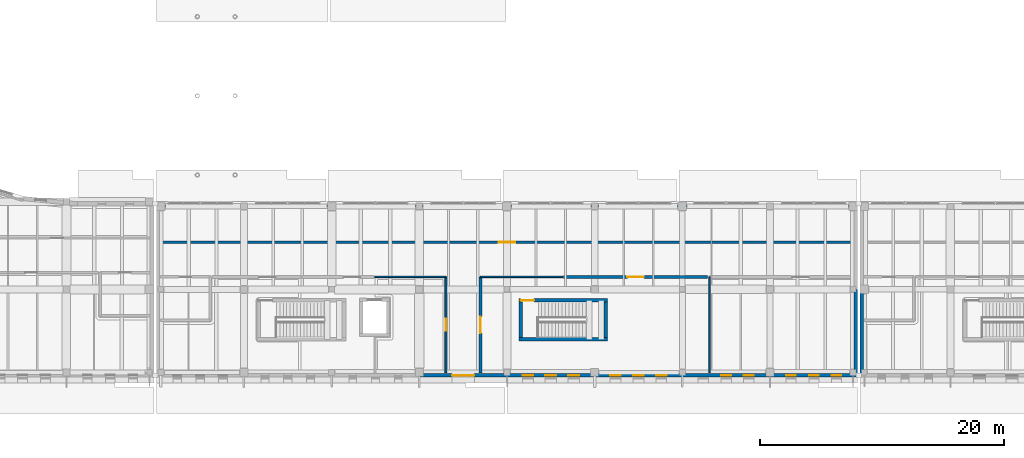
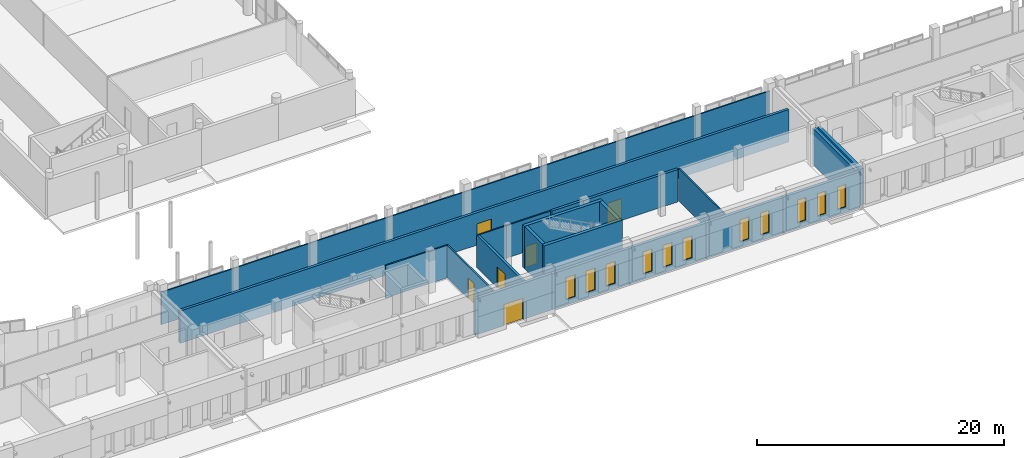
# One storey, part 53 of 77: 19 walls, 11 windows, 6 doors, 17 openings.
"""IFC4 building model written with IfcOpenShell, lengths in metres."""

from ifc_helpers import new_model, si_unit, direction, frame, frame_2d, origin, place, context, subcontext, project, spatial, rectangle, extrude, material, layer, layer_set, type_object, element, fill, save


model = new_model("IFC4")

# Units and contexts
model_context = context("Model", 3, precision=1e-05, world=origin(), true_north=direction((0.0, 1.0)))
body_context = subcontext(model_context, "Body", "Model", "MODEL_VIEW")
ifc_project = project(units=[si_unit("LENGTHUNIT", "METRE"), si_unit("AREAUNIT", "SQUARE_METRE"), si_unit("VOLUMEUNIT", "CUBIC_METRE"), si_unit("PLANEANGLEUNIT", "RADIAN"), si_unit("MASSUNIT", "GRAM", prefix="KILO")], contexts=[model_context])

# Site, building, storey
site_placement = place(None, origin())
site = spatial("IfcSite", under=ifc_project, at=site_placement, CompositionType="ELEMENT")
building_placement = place(site_placement, origin())
building = spatial("IfcBuilding", under=site, at=building_placement, Name="Vardoun Plaza Health Centre", CompositionType="ELEMENT")
storey_placement = place(building_placement, origin())
storey = spatial("IfcBuildingStorey", under=building, at=storey_placement, Name="L00", CompositionType="ELEMENT", Elevation=0.0)

# Walls
ifc_material_1 = material(Name="Concrete C40/50", Category="concrete")
ifc_layer_1 = layer(ifc_material_1, 0.300048828125)
ifc_layer_set_1 = layer_set([ifc_layer_1], Name="Concrete C40/50")
wall_type_1 = type_object("IfcWallType", Name="SW-01", PredefinedType="SHEAR", material=ifc_layer_set_1)
wall_1_placement = place(storey_placement, frame((84.949951171875, 7.60009765625, 0.0), z_axis=(0.0, 0.0, 1.0), x_axis=(-1.0, 0.0, 0.0)))
element("IfcWall", 1, at=wall_1_placement, inside=storey, type_object=wall_type_1, Name="Core C7 L00 Shear Wall S", PredefinedType="SHEAR", context=body_context, shape_type="SweptSolid", body=[
    extrude(rectangle(XDim=7.300048828125, YDim=0.300048828125, at=frame_2d((3.64990234375, 0.0))), origin(), (0.0, 0.0, 1.0), 4.18505859375),
])
wall_2_placement = place(storey_placement, frame((77.800048828125, 7.75, 0.0), z_axis=(0.0, 0.0, 1.0), x_axis=(0.0, 1.0, 0.0)))
element("IfcWall", 2, at=wall_2_placement, inside=storey, type_object=wall_type_1, Name="Core C7 L00 Shear Wall W", PredefinedType="SHEAR", context=body_context, shape_type="SweptSolid", body=[
    extrude(rectangle(XDim=2.89990234375, YDim=0.300048828125, at=frame_2d((1.449951171875, 0.0))), origin(), (0.0, 0.0, 1.0), 4.18505859375),
])

# Wall, opening, door
wall_3_placement = place(storey_placement, frame((77.64990234375, 10.800048828125, 0.0), z_axis=(0.0, 0.0, 1.0), x_axis=(1.0, 0.0, 0.0)))
wall_3 = element("IfcWall", 3, at=wall_3_placement, inside=storey, type_object=wall_type_1, Name="Core C7 L00 Shear Wall N", PredefinedType="SHEAR", context=body_context, shape_type="SweptSolid", body=[
    extrude(rectangle(XDim=7.300048828125, YDim=0.300048828125, at=frame_2d((3.64990234375, 0.0))), origin(), (0.0, 0.0, 1.0), 4.18505859375),
])
opening_1_placement = place(wall_3_placement, frame((0.159912109375, 0.0, 0.0)))
opening_1 = element("IfcOpeningElement", 4, at=opening_1_placement, cuts=wall_3, Name="Opening SD-C7-L00", PredefinedType="OPENING", context=body_context, shape_type="SweptSolid", body=[
    extrude(rectangle(XDim=1.10009765625, YDim=2.050048828125, at=frame_2d((0.550048828125, 1.02490234375))), frame((0.0, 0.14990234375, 0.0), z_axis=(0.0, -1.0, 0.0), x_axis=(1.0, 0.0, 0.0)), (0.0, 0.0, 1.0), 0.300048828125),
])
ifc_material_2 = material(Name="Brushed Stainless Steel Grade 316L", Category="steel")
door_type_1 = type_object("IfcDoorType", Name="FD-01", OperationType="NOTDEFINED", PredefinedType="DOOR", material=ifc_material_2)
door_1_placement = place(opening_1_placement, origin())
door_1 = element("IfcDoor", 5, at=door_1_placement, inside=storey, type_object=door_type_1, Name="Stair C7 L00 Fire Door", OperationType="SINGLE_SWING_RIGHT", OverallHeight=2.050048828125, OverallWidth=1.10009765625, PredefinedType="DOOR", context=body_context, shape_type="SweptSolid", body=[
    extrude(rectangle(XDim=1.10009765625, YDim=2.050048828125, at=frame_2d((0.550048828125, 1.02490234375))), frame((0.0, 0.02490234375, 0.0), z_axis=(0.0, -1.0, 0.0), x_axis=(1.0, 0.0, 0.0)), (0.0, 0.0, 1.0), 0.050048828125),
])
fill(opening_1, door_1)

# Walls
wall_4_placement = place(storey_placement, frame((84.800048828125, 10.64990234375, 0.0), z_axis=(0.0, 0.0, 1.0), x_axis=(0.0, -1.0, 0.0)))
element("IfcWall", 6, at=wall_4_placement, inside=storey, type_object=wall_type_1, Name="Core C7 L00 Shear Wall E", PredefinedType="SHEAR", context=body_context, shape_type="SweptSolid", body=[
    extrude(rectangle(XDim=2.89990234375, YDim=0.300048828125, at=frame_2d((1.449951171875, 0.0))), origin(), (0.0, 0.0, 1.0), 4.18505859375),
])
ifc_material_3 = material(Name="Pale Limestone Concrete C35/45", Category="masonry")
ifc_layer_2 = layer(ifc_material_3, 0.280029296875)
ifc_layer_set_2 = layer_set([ifc_layer_2], Name="Pale Limestone Concrete C35/45")
wall_type_2 = type_object("IfcWallType", Name="EW-05", PredefinedType="STANDARD", material=ifc_layer_set_2)
wall_5_placement = place(storey_placement, frame((105.340087890625, 11.699951171875, 0.0), z_axis=(0.0, 0.0, 1.0), x_axis=(0.0, -1.0, 0.0)))
element("IfcWall", 7, at=wall_5_placement, inside=storey, type_object=wall_type_2, Name="V4 L00 Exterior Wall EW-V4-325", PredefinedType="STANDARD", context=body_context, shape_type="SweptSolid", body=[
    extrude(rectangle(XDim=6.919921875, YDim=0.280029296875, at=frame_2d((3.4599609375, 0.0))), origin(), (0.0, 0.0, 1.0), 3.6201171875),
])

# Wall, openings, windows
wall_6_placement = place(storey_placement, frame((105.47998046875, 4.639892578125, 0.0), z_axis=(0.0, 0.0, 1.0), x_axis=(-1.0, 0.0, 0.0)))
wall_6 = element("IfcWall", 8, at=wall_6_placement, inside=storey, type_object=wall_type_2, Name="V4 L00 Exterior Wall EW-V4-326", PredefinedType="STANDARD", context=body_context, shape_type="SweptSolid", body=[
    extrude(rectangle(XDim=7.199951171875, YDim=0.280029296875, at=frame_2d((3.60009765625, 0.0))), origin(), (0.0, 0.0, 1.0), 3.570068359375),
])
opening_2_placement = place(wall_6_placement, frame((1.337890625, 0.0, 0.550048828125)))
opening_2 = element("IfcOpeningElement", 9, at=opening_2_placement, cuts=wall_6, Name="Opening W-06-013", PredefinedType="OPENING", context=body_context, shape_type="SweptSolid", body=[
    extrude(rectangle(XDim=0.780029296875, YDim=2.25, at=frame_2d((0.39013671875, 1.125))), frame((0.0, 0.14013671875, 0.0), z_axis=(0.0, -1.0, 0.0), x_axis=(1.0, 0.0, 0.0)), (0.0, 0.0, 1.0), 0.280029296875),
])
opening_3_placement = place(wall_6_placement, frame((3.2099609375, 0.0, 0.550048828125)))
opening_3 = element("IfcOpeningElement", 10, at=opening_3_placement, cuts=wall_6, Name="Opening W-06-014", PredefinedType="OPENING", context=body_context, shape_type="SweptSolid", body=[
    extrude(rectangle(XDim=0.780029296875, YDim=2.25, at=frame_2d((0.39013671875, 1.125))), frame((0.0, 0.14013671875, 0.0), z_axis=(0.0, -1.0, 0.0), x_axis=(1.0, 0.0, 0.0)), (0.0, 0.0, 1.0), 0.280029296875),
])
opening_4_placement = place(wall_6_placement, frame((5.08203125, 0.0, 0.550048828125)))
opening_4 = element("IfcOpeningElement", 11, at=opening_4_placement, cuts=wall_6, Name="Opening W-06-015", PredefinedType="OPENING", context=body_context, shape_type="SweptSolid", body=[
    extrude(rectangle(XDim=0.780029296875, YDim=2.25, at=frame_2d((0.39013671875, 1.125))), frame((0.0, 0.14013671875, 0.0), z_axis=(0.0, -1.0, 0.0), x_axis=(1.0, 0.0, 0.0)), (0.0, 0.0, 1.0), 0.280029296875),
])
ifc_material_4 = material(Name="Aluminium Alloy EN AW-6063-T6 and Low-E Glass", Category="aluminium")
window_type_1 = type_object("IfcWindowType", Name="W-06", PartitioningType="SINGLE_PANEL", PredefinedType="WINDOW", material=ifc_material_4)
window_1_placement = place(opening_2_placement, origin())
window_1 = element("IfcWindow", 12, at=window_1_placement, inside=storey, type_object=window_type_1, Name="V4 L00 Deep-Punched Slot Window W-06-502", OverallHeight=2.25, OverallWidth=0.780029296875, PartitioningType="SINGLE_PANEL", PredefinedType="WINDOW", context=body_context, shape_type="SweptSolid", body=[
    extrude(rectangle(XDim=0.780029296875, YDim=2.25, at=frame_2d((0.39013671875, 1.125))), frame((0.0, 0.030029296875, 0.0), z_axis=(0.0, -1.0, 0.0), x_axis=(1.0, 0.0, 0.0)), (0.0, 0.0, 1.0), 0.06005859375),
])
fill(opening_2, window_1)
window_2_placement = place(opening_3_placement, origin())
window_2 = element("IfcWindow", 13, at=window_2_placement, inside=storey, type_object=window_type_1, Name="V4 L00 Deep-Punched Slot Window W-06-503", OverallHeight=2.25, OverallWidth=0.780029296875, PartitioningType="SINGLE_PANEL", PredefinedType="WINDOW", context=body_context, shape_type="SweptSolid", body=[
    extrude(rectangle(XDim=0.780029296875, YDim=2.25, at=frame_2d((0.39013671875, 1.125))), frame((0.0, 0.030029296875, 0.0), z_axis=(0.0, -1.0, 0.0), x_axis=(1.0, 0.0, 0.0)), (0.0, 0.0, 1.0), 0.06005859375),
])
fill(opening_3, window_2)
window_3_placement = place(opening_4_placement, origin())
window_3 = element("IfcWindow", 14, at=window_3_placement, inside=storey, type_object=window_type_1, Name="V4 L00 Deep-Punched Slot Window W-06-504", OverallHeight=2.25, OverallWidth=0.780029296875, PartitioningType="SINGLE_PANEL", PredefinedType="WINDOW", context=body_context, shape_type="SweptSolid", body=[
    extrude(rectangle(XDim=0.780029296875, YDim=2.25, at=frame_2d((0.39013671875, 1.125))), frame((0.0, 0.030029296875, 0.0), z_axis=(0.0, -1.0, 0.0), x_axis=(1.0, 0.0, 0.0)), (0.0, 0.0, 1.0), 0.06005859375),
])
fill(opening_4, window_3)

wall_7_placement = place(storey_placement, frame((98.280029296875, 4.639892578125, 0.0), z_axis=(0.0, 0.0, 1.0), x_axis=(-1.0, 0.0, 0.0)))
wall_7 = element("IfcWall", 15, at=wall_7_placement, inside=storey, type_object=wall_type_2, Name="V4 L00 Exterior Wall EW-V4-327", PredefinedType="STANDARD", context=body_context, shape_type="SweptSolid", body=[
    extrude(rectangle(XDim=7.199951171875, YDim=0.280029296875, at=frame_2d((3.60009765625, 0.0))), origin(), (0.0, 0.0, 1.0), 3.550048828125),
])
opening_5_placement = place(wall_7_placement, frame((1.318115234375, 0.0, 0.550048828125)))
opening_5 = element("IfcOpeningElement", 16, at=opening_5_placement, cuts=wall_7, Name="Opening W-07-017", PredefinedType="OPENING", context=body_context, shape_type="SweptSolid", body=[
    extrude(rectangle(XDim=0.820068359375, YDim=2.199951171875, at=frame_2d((0.41015625, 1.10009765625))), frame((0.0, 0.14013671875, 0.0), z_axis=(0.0, -1.0, 0.0), x_axis=(1.0, 0.0, 0.0)), (0.0, 0.0, 1.0), 0.280029296875),
])
opening_6_placement = place(wall_7_placement, frame((3.18994140625, 0.0, 0.550048828125)))
opening_6 = element("IfcOpeningElement", 17, at=opening_6_placement, cuts=wall_7, Name="Opening W-07-018", PredefinedType="OPENING", context=body_context, shape_type="SweptSolid", body=[
    extrude(rectangle(XDim=0.820068359375, YDim=2.199951171875, at=frame_2d((0.41015625, 1.10009765625))), frame((0.0, 0.14013671875, 0.0), z_axis=(0.0, -1.0, 0.0), x_axis=(1.0, 0.0, 0.0)), (0.0, 0.0, 1.0), 0.280029296875),
])
ifc_material_5 = material(Name="Aluminium Alloy EN AW-6063-T6 and Low-E Glass", Category="aluminium")
window_type_2 = type_object("IfcWindowType", Name="W-07", PartitioningType="SINGLE_PANEL", PredefinedType="WINDOW", material=ifc_material_5)
window_4_placement = place(opening_5_placement, origin())
window_4 = element("IfcWindow", 18, at=window_4_placement, inside=storey, type_object=window_type_2, Name="V4 L00 Deep-Punched Slot Window W-07-505", OverallHeight=2.199951171875, OverallWidth=0.820068359375, PartitioningType="SINGLE_PANEL", PredefinedType="WINDOW", context=body_context, shape_type="SweptSolid", body=[
    extrude(rectangle(XDim=0.820068359375, YDim=2.199951171875, at=frame_2d((0.41015625, 1.10009765625))), frame((0.0, 0.030029296875, 0.0), z_axis=(0.0, -1.0, 0.0), x_axis=(1.0, 0.0, 0.0)), (0.0, 0.0, 1.0), 0.06005859375),
])
fill(opening_5, window_4)
window_5_placement = place(opening_6_placement, origin())
window_5 = element("IfcWindow", 19, at=window_5_placement, inside=storey, type_object=window_type_2, Name="V4 L00 Deep-Punched Slot Window W-07-506", OverallHeight=2.199951171875, OverallWidth=0.820068359375, PartitioningType="SINGLE_PANEL", PredefinedType="WINDOW", context=body_context, shape_type="SweptSolid", body=[
    extrude(rectangle(XDim=0.820068359375, YDim=2.199951171875, at=frame_2d((0.41015625, 1.10009765625))), frame((0.0, 0.030029296875, 0.0), z_axis=(0.0, -1.0, 0.0), x_axis=(1.0, 0.0, 0.0)), (0.0, 0.0, 1.0), 0.06005859375),
])
fill(opening_6, window_5)

wall_8_placement = place(storey_placement, frame((91.080078125, 4.639892578125, 0.0), z_axis=(0.0, 0.0, 1.0), x_axis=(-1.0, 0.0, 0.0)))
wall_8 = element("IfcWall", 20, at=wall_8_placement, inside=storey, type_object=wall_type_2, Name="V4 L00 Exterior Wall EW-V4-328", PredefinedType="STANDARD", context=body_context, shape_type="SweptSolid", body=[
    extrude(rectangle(XDim=7.2001953125, YDim=0.280029296875, at=frame_2d((3.60009765625, 0.0))), origin(), (0.0, 0.0, 1.0), 3.550048828125),
])
opening_7_placement = place(wall_8_placement, frame((1.298095703125, 0.0, 0.550048828125)))
opening_7 = element("IfcOpeningElement", 21, at=opening_7_placement, cuts=wall_8, Name="Opening W-08-008", PredefinedType="OPENING", context=body_context, shape_type="SweptSolid", body=[
    extrude(rectangle(XDim=0.860107421875, YDim=2.199951171875, at=frame_2d((0.43017578125, 1.10009765625))), frame((0.0, 0.14013671875, 0.0), z_axis=(0.0, -1.0, 0.0), x_axis=(1.0, 0.0, 0.0)), (0.0, 0.0, 1.0), 0.280029296875),
])
opening_8_placement = place(wall_8_placement, frame((3.169921875, 0.0, 0.550048828125)))
opening_8 = element("IfcOpeningElement", 22, at=opening_8_placement, cuts=wall_8, Name="Opening W-08-009", PredefinedType="OPENING", context=body_context, shape_type="SweptSolid", body=[
    extrude(rectangle(XDim=0.860107421875, YDim=2.199951171875, at=frame_2d((0.43017578125, 1.10009765625))), frame((0.0, 0.14013671875, 0.0), z_axis=(0.0, -1.0, 0.0), x_axis=(1.0, 0.0, 0.0)), (0.0, 0.0, 1.0), 0.280029296875),
])
opening_9_placement = place(wall_8_placement, frame((5.0419921875, 0.0, 0.550048828125)))
opening_9 = element("IfcOpeningElement", 23, at=opening_9_placement, cuts=wall_8, Name="Opening W-08-010", PredefinedType="OPENING", context=body_context, shape_type="SweptSolid", body=[
    extrude(rectangle(XDim=0.860107421875, YDim=2.199951171875, at=frame_2d((0.43017578125, 1.10009765625))), frame((0.0, 0.14013671875, 0.0), z_axis=(0.0, -1.0, 0.0), x_axis=(1.0, 0.0, 0.0)), (0.0, 0.0, 1.0), 0.280029296875),
])
ifc_material_6 = material(Name="Aluminium Alloy EN AW-6063-T6 and Low-E Glass", Category="aluminium")
window_type_3 = type_object("IfcWindowType", Name="W-08", PartitioningType="SINGLE_PANEL", PredefinedType="WINDOW", material=ifc_material_6)
window_6_placement = place(opening_7_placement, origin())
window_6 = element("IfcWindow", 24, at=window_6_placement, inside=storey, type_object=window_type_3, Name="V4 L00 Deep-Punched Slot Window W-08-508", OverallHeight=2.199951171875, OverallWidth=0.860107421875, PartitioningType="SINGLE_PANEL", PredefinedType="WINDOW", context=body_context, shape_type="SweptSolid", body=[
    extrude(rectangle(XDim=0.860107421875, YDim=2.199951171875, at=frame_2d((0.43017578125, 1.10009765625))), frame((0.0, 0.030029296875, 0.0), z_axis=(0.0, -1.0, 0.0), x_axis=(1.0, 0.0, 0.0)), (0.0, 0.0, 1.0), 0.06005859375),
])
fill(opening_7, window_6)
window_7_placement = place(opening_8_placement, origin())
window_7 = element("IfcWindow", 25, at=window_7_placement, inside=storey, type_object=window_type_3, Name="V4 L00 Deep-Punched Slot Window W-08-509", OverallHeight=2.199951171875, OverallWidth=0.860107421875, PartitioningType="SINGLE_PANEL", PredefinedType="WINDOW", context=body_context, shape_type="SweptSolid", body=[
    extrude(rectangle(XDim=0.860107421875, YDim=2.199951171875, at=frame_2d((0.43017578125, 1.10009765625))), frame((0.0, 0.030029296875, 0.0), z_axis=(0.0, -1.0, 0.0), x_axis=(1.0, 0.0, 0.0)), (0.0, 0.0, 1.0), 0.06005859375),
])
fill(opening_8, window_7)
window_8_placement = place(opening_9_placement, origin())
window_8 = element("IfcWindow", 26, at=window_8_placement, inside=storey, type_object=window_type_3, Name="V4 L00 Deep-Punched Slot Window W-08-510", OverallHeight=2.199951171875, OverallWidth=0.860107421875, PartitioningType="SINGLE_PANEL", PredefinedType="WINDOW", context=body_context, shape_type="SweptSolid", body=[
    extrude(rectangle(XDim=0.860107421875, YDim=2.199951171875, at=frame_2d((0.43017578125, 1.10009765625))), frame((0.0, 0.030029296875, 0.0), z_axis=(0.0, -1.0, 0.0), x_axis=(1.0, 0.0, 0.0)), (0.0, 0.0, 1.0), 0.06005859375),
])
fill(opening_9, window_8)

wall_9_placement = place(storey_placement, frame((83.8798828125, 4.639892578125, 0.0), z_axis=(0.0, 0.0, 1.0), x_axis=(-1.0, 0.0, 0.0)))
wall_9 = element("IfcWall", 27, at=wall_9_placement, inside=storey, type_object=wall_type_2, Name="V4 L00 Exterior Wall EW-V4-329", PredefinedType="STANDARD", context=body_context, shape_type="SweptSolid", body=[
    extrude(rectangle(XDim=7.199951171875, YDim=0.280029296875, at=frame_2d((3.60009765625, 0.0))), origin(), (0.0, 0.0, 1.0), 3.550048828125),
])
opening_10_placement = place(wall_9_placement, frame((1.278076171875, 0.0, 0.550048828125)))
opening_10 = element("IfcOpeningElement", 28, at=opening_10_placement, cuts=wall_9, Name="Opening W-09-007", PredefinedType="OPENING", context=body_context, shape_type="SweptSolid", body=[
    extrude(rectangle(XDim=0.89990234375, YDim=2.179931640625, at=frame_2d((0.449951171875, 1.08984375))), frame((0.0, 0.14013671875, 0.0), z_axis=(0.0, -1.0, 0.0), x_axis=(1.0, 0.0, 0.0)), (0.0, 0.0, 1.0), 0.280029296875),
])
opening_11_placement = place(wall_9_placement, frame((3.14990234375, 0.0, 0.550048828125)))
opening_11 = element("IfcOpeningElement", 29, at=opening_11_placement, cuts=wall_9, Name="Opening W-09-008", PredefinedType="OPENING", context=body_context, shape_type="SweptSolid", body=[
    extrude(rectangle(XDim=0.89990234375, YDim=2.179931640625, at=frame_2d((0.449951171875, 1.08984375))), frame((0.0, 0.14013671875, 0.0), z_axis=(0.0, -1.0, 0.0), x_axis=(1.0, 0.0, 0.0)), (0.0, 0.0, 1.0), 0.280029296875),
])
opening_12_placement = place(wall_9_placement, frame((5.02197265625, 0.0, 0.550048828125)))
opening_12 = element("IfcOpeningElement", 30, at=opening_12_placement, cuts=wall_9, Name="Opening W-09-009", PredefinedType="OPENING", context=body_context, shape_type="SweptSolid", body=[
    extrude(rectangle(XDim=0.89990234375, YDim=2.179931640625, at=frame_2d((0.449951171875, 1.08984375))), frame((0.0, 0.14013671875, 0.0), z_axis=(0.0, -1.0, 0.0), x_axis=(1.0, 0.0, 0.0)), (0.0, 0.0, 1.0), 0.280029296875),
])
ifc_material_7 = material(Name="Aluminium Alloy EN AW-6063-T6 and Low-E Glass", Category="aluminium")
window_type_4 = type_object("IfcWindowType", Name="W-09", PartitioningType="DOUBLE_PANEL_VERTICAL", PredefinedType="WINDOW", material=ifc_material_7)
window_9_placement = place(opening_10_placement, origin())
window_9 = element("IfcWindow", 31, at=window_9_placement, inside=storey, type_object=window_type_4, Name="V4 L00 Deep-Punched Slot Window W-09-511", OverallHeight=2.179931640625, OverallWidth=0.89990234375, PartitioningType="DOUBLE_PANEL_VERTICAL", PredefinedType="WINDOW", context=body_context, shape_type="SweptSolid", body=[
    extrude(rectangle(XDim=0.89990234375, YDim=2.179931640625, at=frame_2d((0.449951171875, 1.08984375))), frame((0.0, 0.030029296875, 0.0), z_axis=(0.0, -1.0, 0.0), x_axis=(1.0, 0.0, 0.0)), (0.0, 0.0, 1.0), 0.06005859375),
])
fill(opening_10, window_9)
window_10_placement = place(opening_11_placement, origin())
window_10 = element("IfcWindow", 32, at=window_10_placement, inside=storey, type_object=window_type_4, Name="V4 L00 Deep-Punched Slot Window W-09-512", OverallHeight=2.179931640625, OverallWidth=0.89990234375, PartitioningType="DOUBLE_PANEL_VERTICAL", PredefinedType="WINDOW", context=body_context, shape_type="SweptSolid", body=[
    extrude(rectangle(XDim=0.89990234375, YDim=2.179931640625, at=frame_2d((0.449951171875, 1.08984375))), frame((0.0, 0.030029296875, 0.0), z_axis=(0.0, -1.0, 0.0), x_axis=(1.0, 0.0, 0.0)), (0.0, 0.0, 1.0), 0.06005859375),
])
fill(opening_11, window_10)
window_11_placement = place(opening_12_placement, origin())
window_11 = element("IfcWindow", 33, at=window_11_placement, inside=storey, type_object=window_type_4, Name="V4 L00 Deep-Punched Slot Window W-09-513", OverallHeight=2.179931640625, OverallWidth=0.89990234375, PartitioningType="DOUBLE_PANEL_VERTICAL", PredefinedType="WINDOW", context=body_context, shape_type="SweptSolid", body=[
    extrude(rectangle(XDim=0.89990234375, YDim=2.179931640625, at=frame_2d((0.449951171875, 1.08984375))), frame((0.0, 0.030029296875, 0.0), z_axis=(0.0, -1.0, 0.0), x_axis=(1.0, 0.0, 0.0)), (0.0, 0.0, 1.0), 0.06005859375),
])
fill(opening_12, window_11)

# Wall, opening, door
wall_10_placement = place(storey_placement, frame((76.679931640625, 4.639892578125, 0.0), z_axis=(0.0, 0.0, 1.0), x_axis=(-1.0, 0.0, 0.0)))
wall_10 = element("IfcWall", 34, at=wall_10_placement, inside=storey, type_object=wall_type_2, Name="V4 L00 Exterior Wall EW-V4-330", PredefinedType="STANDARD", context=body_context, shape_type="SweptSolid", body=[
    extrude(rectangle(XDim=7.199951171875, YDim=0.280029296875, at=frame_2d((3.60009765625, 0.0))), origin(), (0.0, 0.0, 1.0), 3.570068359375),
])
opening_13_placement = place(wall_10_placement, frame((2.699951171875, 0.0, 0.0)))
opening_13 = element("IfcOpeningElement", 35, at=opening_13_placement, cuts=wall_10, Name="Opening D-00-E06", PredefinedType="OPENING", context=body_context, shape_type="SweptSolid", body=[
    extrude(rectangle(XDim=1.800048828125, YDim=2.10009765625, at=frame_2d((0.89990234375, 1.050048828125))), frame((0.0, 0.14013671875, 0.0), z_axis=(0.0, -1.0, 0.0), x_axis=(1.0, 0.0, 0.0)), (0.0, 0.0, 1.0), 0.280029296875),
])
ifc_material_8 = material(Name="Aluminium Alloy EN AW-6063-T6 Glazed Exit Door", Category="aluminium")
door_type_2 = type_object("IfcDoorType", Name="ED-01", OperationType="DOUBLE_DOOR_SINGLE_SWING", PredefinedType="DOOR", material=ifc_material_8)
door_2_placement = place(opening_13_placement, origin())
door_2 = element("IfcDoor", 36, at=door_2_placement, inside=storey, type_object=door_type_2, Name="V4 Ground Final Exit Door D-00-E06", OperationType="DOUBLE_DOOR_SINGLE_SWING", OverallHeight=2.10009765625, OverallWidth=1.800048828125, PredefinedType="DOOR", context=body_context, shape_type="SweptSolid", body=[
    extrude(rectangle(XDim=1.800048828125, YDim=2.10009765625, at=frame_2d((0.89990234375, 1.050048828125))), frame((0.0, 0.02490234375, 0.0), z_axis=(0.0, -1.0, 0.0), x_axis=(1.0, 0.0, 0.0)), (0.0, 0.0, 1.0), 0.050048828125),
])
fill(opening_13, door_2)

# Wall
ifc_material_9 = material(Name="Pale Limestone Concrete C35/45", Category="masonry")
ifc_layer_3 = layer(ifc_material_9, 0.294921875)
ifc_layer_set_3 = layer_set([ifc_layer_3], Name="Pale Limestone Concrete C35/45")
wall_type_3 = type_object("IfcWallType", Name="EW-04", PredefinedType="STANDARD", material=ifc_layer_set_3)
wall_11_placement = place(storey_placement, frame((105.8076171875, 4.794921875, 0.0), z_axis=(0.0, 0.0, 1.0), x_axis=(0.0, 1.0, 0.0)))
element("IfcWall", 37, at=wall_11_placement, inside=storey, type_object=wall_type_3, Name="V5 L00 Exterior Wall EW-V5-378", PredefinedType="STANDARD", context=body_context, shape_type="SweptSolid", body=[
    extrude(rectangle(XDim=6.905029296875, YDim=0.294921875, at=frame_2d((3.45263671875, 0.0))), origin(), (0.0, 0.0, 1.0), 3.570068359375),
])

# Wall, opening, door
ifc_material_10 = material(Name="Acoustic Gypsum Twin-Stud", Category="steel")
ifc_layer_4 = layer(ifc_material_10, 0.14990234375)
ifc_layer_set_4 = layer_set([ifc_layer_4], Name="Acoustic Gypsum Twin-Stud")
wall_type_4 = type_object("IfcWallType", Name="IW-04", PredefinedType="PARTITIONING", material=ifc_layer_set_4)
wall_12_placement = place(storey_placement, frame((71.659912109375, 12.72998046875, 0.0), z_axis=(0.0, 0.0, 1.0), x_axis=(0.0, -1.0, 0.0)))
wall_12 = element("IfcWall", 38, at=wall_12_placement, inside=storey, type_object=wall_type_4, Name="Gowned Patient Waiting Lounge Partition Wall", PredefinedType="PARTITIONING", context=body_context, shape_type="SweptSolid", body=[
    extrude(rectangle(XDim=7.8798828125, YDim=0.14990234375, at=frame_2d((3.93994140625, 0.0))), origin(), (0.0, 0.0, 1.0), 3.205078125),
])
opening_14_placement = place(wall_12_placement, frame((3.43994140625, 0.0, 0.0)))
opening_14 = element("IfcOpeningElement", 39, at=opening_14_placement, cuts=wall_12, Name="Opening D-L00-121", PredefinedType="OPENING", context=body_context, shape_type="SweptSolid", body=[
    extrude(rectangle(XDim=1.0, YDim=2.050048828125, at=frame_2d((0.5, 1.02490234375))), frame((0.0, 0.074951171875, 0.0), z_axis=(0.0, -1.0, 0.0), x_axis=(1.0, 0.0, 0.0)), (0.0, 0.0, 1.0), 0.14990234375),
])
ifc_material_11 = material(Name="Antimicrobial Acoustic Timber and Steel S275JR", Category="steel")
door_type_3 = type_object("IfcDoorType", Name="CD-03", OperationType="NOTDEFINED", PredefinedType="DOOR", material=ifc_material_11)
door_3_placement = place(opening_14_placement, origin())
door_3 = element("IfcDoor", 40, at=door_3_placement, inside=storey, type_object=door_type_3, Name="Gowned Patient Waiting Lounge Door D-L00-121", OperationType="SINGLE_SWING_LEFT", OverallHeight=2.050048828125, OverallWidth=1.0, PredefinedType="DOOR", context=body_context, shape_type="SweptSolid", body=[
    extrude(rectangle(XDim=1.0, YDim=2.050048828125, at=frame_2d((0.5, 1.02490234375))), frame((0.0, 0.02490234375, 0.0), z_axis=(0.0, -1.0, 0.0), x_axis=(1.0, 0.0, 0.0)), (0.0, 0.0, 1.0), 0.050048828125),
])
fill(opening_14, door_3)

# Walls
ifc_material_12 = material(Name="Standard Clinical Sub-Partition", Category="steel")
ifc_layer_5 = layer(ifc_material_12, 0.125)
ifc_layer_set_5 = layer_set([ifc_layer_5], Name="Standard Clinical Sub-Partition")
wall_type_5 = type_object("IfcWallType", Name="IW-11", PredefinedType="PARTITIONING", material=ifc_layer_set_5)
wall_13_placement = place(storey_placement, frame((48.22998046875, 18.550048828125, 0.0), z_axis=(0.0, 0.0, 1.0), x_axis=(1.0, 0.0, 0.0)))
element("IfcWall", 41, at=wall_13_placement, inside=storey, type_object=wall_type_5, Name="Diagnostic Imaging MRI Suite 1.5T Enclosure Partition", PredefinedType="PARTITIONING", context=body_context, shape_type="SweptSolid", body=[
    extrude(rectangle(XDim=56.89990234375, YDim=0.125, at=frame_2d((28.449951171875, 0.0))), origin(), (0.0, 0.0, 1.0), 3.205078125),
])
wall_14_placement = place(storey_placement, frame((93.31494140625, 4.85009765625, 0.0), z_axis=(0.0, 0.0, 1.0), x_axis=(0.0, 1.0, 0.0)))
element("IfcWall", 42, at=wall_14_placement, inside=storey, type_object=wall_type_5, Name="Diagnostic Imaging CT Scanner Room Enclosure Partition", PredefinedType="PARTITIONING", context=body_context, shape_type="SweptSolid", body=[
    extrude(rectangle(XDim=7.8798828125, YDim=0.125, at=frame_2d((3.93994140625, 0.0))), origin(), (0.0, 0.0, 1.0), 3.205078125),
])
wall_15_placement = place(storey_placement, frame((74.5, 12.72998046875, 0.0), z_axis=(0.0, 0.0, 1.0), x_axis=(1.0, 0.0, 0.0)))
element("IfcWall", 43, at=wall_15_placement, inside=storey, type_object=wall_type_5, Name="Imaging Control and Reporting Room Enclosure Partition", PredefinedType="PARTITIONING", context=body_context, shape_type="SweptSolid", body=[
    extrude(rectangle(XDim=6.760009765625, YDim=0.125, at=frame_2d((3.3798828125, 0.0))), origin(), (0.0, 0.0, 1.0), 3.205078125),
])
wall_16_placement = place(storey_placement, frame((65.840087890625, 12.72998046875, 0.0), z_axis=(0.0, 0.0, 1.0), x_axis=(1.0, 0.0, 0.0)))
element("IfcWall", 44, at=wall_16_placement, inside=storey, type_object=wall_type_5, Name="Gowned Patient Waiting Lounge Enclosure Partition", PredefinedType="PARTITIONING", context=body_context, shape_type="SweptSolid", body=[
    extrude(rectangle(XDim=5.81982421875, YDim=0.125, at=frame_2d((2.909912109375, 0.0))), origin(), (0.0, 0.0, 1.0), 3.205078125),
])

# Wall, opening, door
ifc_material_13 = material(Name="Lead-Lined Concrete C35/45", Category="concrete")
ifc_layer_6 = layer(ifc_material_13, 0.239990234375)
ifc_layer_set_6 = layer_set([ifc_layer_6], Name="Lead-Lined Concrete C35/45")
wall_type_6 = type_object("IfcWallType", Name="IW-03", PredefinedType="SOLIDWALL", material=ifc_layer_set_6)
wall_17_placement = place(storey_placement, frame((105.1298828125, 15.570068359375, 0.0), z_axis=(0.0, 0.0, 1.0), x_axis=(-1.0, 0.0, 0.0)))
wall_17 = element("IfcWall", 45, at=wall_17_placement, inside=storey, type_object=wall_type_6, Name="Diagnostic Imaging MRI Suite 1.5T Partition Wall", PredefinedType="SOLIDWALL", context=body_context, shape_type="SweptSolid", body=[
    extrude(rectangle(XDim=56.89990234375, YDim=0.239990234375, at=frame_2d((28.449951171875, 0.0))), origin(), (0.0, 0.0, 1.0), 3.205078125),
])
opening_15_placement = place(wall_17_placement, frame((27.77490234375, 0.0, 0.0)))
opening_15 = element("IfcOpeningElement", 46, at=opening_15_placement, cuts=wall_17, Name="Opening D-L00-116", PredefinedType="OPENING", context=body_context, shape_type="SweptSolid", body=[
    extrude(rectangle(XDim=1.35009765625, YDim=2.10009765625, at=frame_2d((0.675048828125, 1.050048828125))), frame((0.0, 0.1201171875, 0.0), z_axis=(0.0, -1.0, 0.0), x_axis=(1.0, 0.0, 0.0)), (0.0, 0.0, 1.0), 0.239990234375),
])
ifc_material_14 = material(Name="Antimicrobial Acoustic Timber and Steel S275JR", Category="steel")
door_type_4 = type_object("IfcDoorType", Name="CD-02", OperationType="NOTDEFINED", PredefinedType="DOOR", material=ifc_material_14)
door_4_placement = place(opening_15_placement, origin())
door_4 = element("IfcDoor", 47, at=door_4_placement, inside=storey, type_object=door_type_4, Name="Diagnostic Imaging MRI Suite 1.5T Door D-L00-116", OperationType="SINGLE_SWING_RIGHT", OverallHeight=2.10009765625, OverallWidth=1.35009765625, PredefinedType="DOOR", context=body_context, shape_type="SweptSolid", body=[
    extrude(rectangle(XDim=1.35009765625, YDim=2.10009765625, at=frame_2d((0.675048828125, 1.050048828125))), frame((0.0, 0.02490234375, 0.0), z_axis=(0.0, -1.0, 0.0), x_axis=(1.0, 0.0, 0.0)), (0.0, 0.0, 1.0), 0.050048828125),
])
fill(opening_15, door_4)

wall_18_placement = place(storey_placement, frame((81.340087890625, 12.72998046875, 0.0), z_axis=(0.0, 0.0, 1.0), x_axis=(1.0, 0.0, 0.0)))
wall_18 = element("IfcWall", 48, at=wall_18_placement, inside=storey, type_object=wall_type_6, Name="Digital X-Ray Radiography Room 1 Partition Wall", PredefinedType="SOLIDWALL", context=body_context, shape_type="SweptSolid", body=[
    extrude(rectangle(XDim=11.81494140625, YDim=0.239990234375, at=frame_2d((5.907470703125, 0.0))), origin(), (0.0, 0.0, 1.0), 3.205078125),
])
opening_16_placement = place(wall_18_placement, frame((5.232421875, 0.0, 0.0)))
opening_16 = element("IfcOpeningElement", 49, at=opening_16_placement, cuts=wall_18, Name="Opening D-L00-118", PredefinedType="OPENING", context=body_context, shape_type="SweptSolid", body=[
    extrude(rectangle(XDim=1.35009765625, YDim=2.10009765625, at=frame_2d((0.675048828125, 1.050048828125))), frame((0.0, 0.1201171875, 0.0), z_axis=(0.0, -1.0, 0.0), x_axis=(1.0, 0.0, 0.0)), (0.0, 0.0, 1.0), 0.239990234375),
])
door_5_placement = place(opening_16_placement, origin())
door_5 = element("IfcDoor", 50, at=door_5_placement, inside=storey, type_object=door_type_4, Name="Digital X-Ray Radiography Room 1 Door D-L00-118", OperationType="SINGLE_SWING_RIGHT", OverallHeight=2.10009765625, OverallWidth=1.35009765625, PredefinedType="DOOR", context=body_context, shape_type="SweptSolid", body=[
    extrude(rectangle(XDim=1.35009765625, YDim=2.10009765625, at=frame_2d((0.675048828125, 1.050048828125))), frame((0.0, 0.02490234375, 0.0), z_axis=(0.0, -1.0, 0.0), x_axis=(1.0, 0.0, 0.0)), (0.0, 0.0, 1.0), 0.050048828125),
])
fill(opening_16, door_5)

wall_19_placement = place(storey_placement, frame((74.5, 4.85009765625, 0.0), z_axis=(0.0, 0.0, 1.0), x_axis=(0.0, 1.0, 0.0)))
wall_19 = element("IfcWall", 51, at=wall_19_placement, inside=storey, type_object=wall_type_6, Name="Imaging Control and Reporting Room Partition Wall", PredefinedType="SOLIDWALL", context=body_context, shape_type="SweptSolid", body=[
    extrude(rectangle(XDim=7.8798828125, YDim=0.239990234375, at=frame_2d((3.93994140625, 0.0))), origin(), (0.0, 0.0, 1.0), 3.205078125),
])
opening_17_placement = place(wall_19_placement, frame((3.264892578125, 0.0, 0.0)))
opening_17 = element("IfcOpeningElement", 52, at=opening_17_placement, cuts=wall_19, Name="Opening D-L00-120", PredefinedType="OPENING", context=body_context, shape_type="SweptSolid", body=[
    extrude(rectangle(XDim=1.35009765625, YDim=2.10009765625, at=frame_2d((0.675048828125, 1.050048828125))), frame((0.0, 0.1201171875, 0.0), z_axis=(0.0, -1.0, 0.0), x_axis=(1.0, 0.0, 0.0)), (0.0, 0.0, 1.0), 0.239990234375),
])
door_6_placement = place(opening_17_placement, origin())
door_6 = element("IfcDoor", 53, at=door_6_placement, inside=storey, type_object=door_type_4, Name="Imaging Control and Reporting Room Door D-L00-120", OperationType="SINGLE_SWING_RIGHT", OverallHeight=2.10009765625, OverallWidth=1.35009765625, PredefinedType="DOOR", context=body_context, shape_type="SweptSolid", body=[
    extrude(rectangle(XDim=1.35009765625, YDim=2.10009765625, at=frame_2d((0.675048828125, 1.050048828125))), frame((0.0, 0.02490234375, 0.0), z_axis=(0.0, -1.0, 0.0), x_axis=(1.0, 0.0, 0.0)), (0.0, 0.0, 1.0), 0.050048828125),
])
fill(opening_17, door_6)

save(model, "model.ifc")
